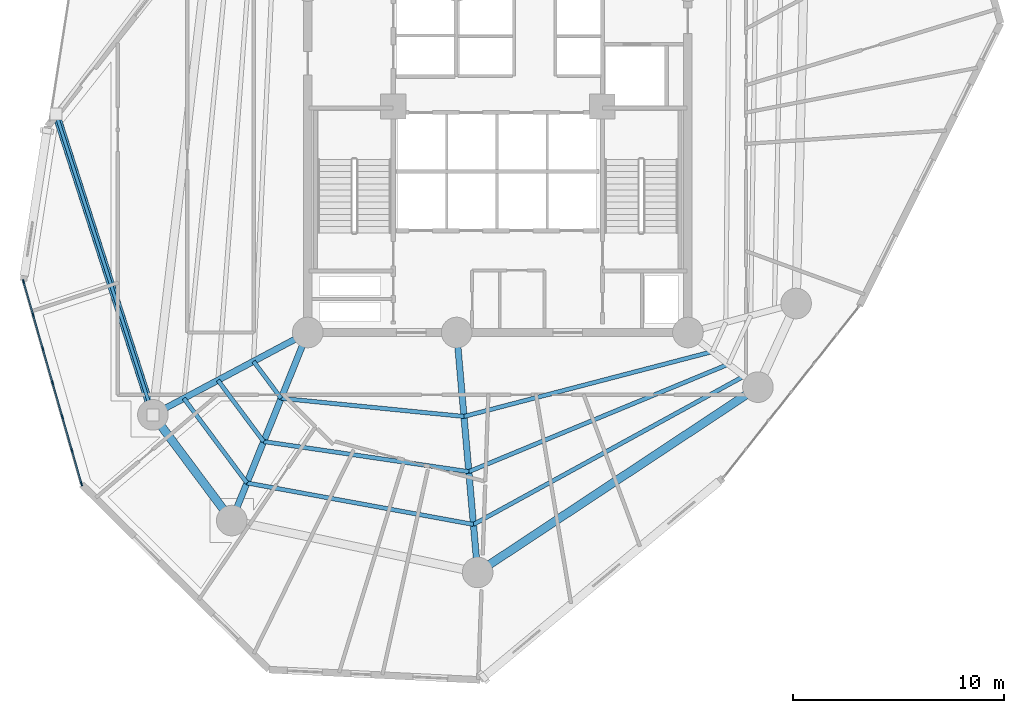
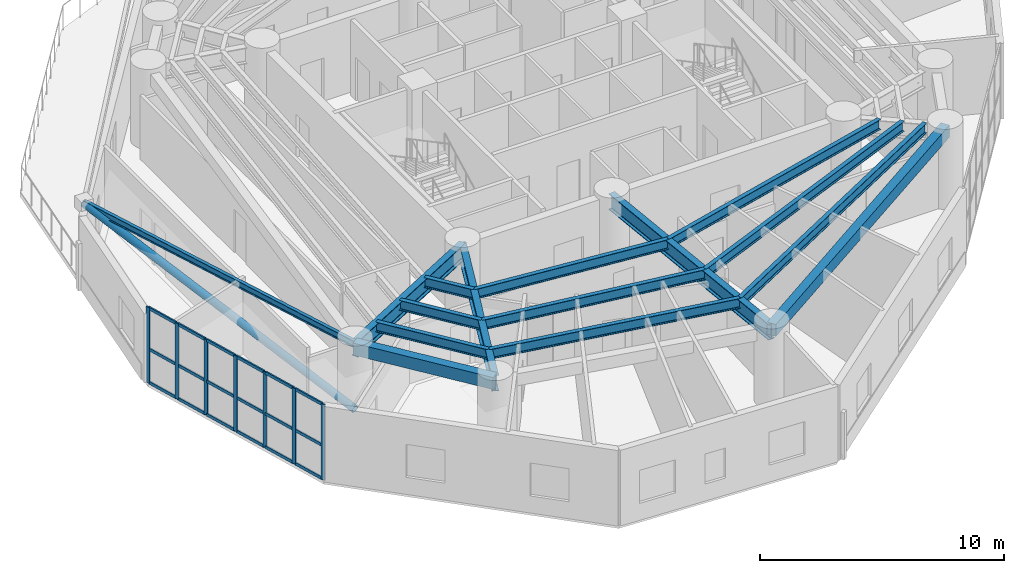
# One storey, part 2 of 14: 26 members, 15 beams, 1 element without a shape of its own.
"""IFC4 building model written with IfcOpenShell, lengths in metres."""

import ifcopenshell
import ifcopenshell.guid

model = None  # the IFC model being written
_history = None  # IfcOwnerHistory: only IFC2X3 demands one
_inside = {}  # id of a spatial element -> (the spatial element, [elements in it])
_under = {}  # id of a project, library or spatial element -> (it, [spatial elements below it])
_declared = {}  # id of a project -> (the project, [libraries it declares])
_typed = {}  # id of a type object -> (the type object, [elements of that type])
_made_of = {}  # id of a material, layer set ... -> (it, [elements and type objects made of it])


def new_model(schema):
    """Start an empty IFC model of exactly this schema.

    Asked for "IFC4X3", IfcOpenShell would pick the latest addendum, in which some entities
    have other attributes; the version numbers below select the first issue.
    IFC2X3 requires an IfcOwnerHistory on every rooted entity: one is made here for all.
    """
    global model, _history
    if schema == "IFC4X3":
        model = ifcopenshell.file(schema_version=(4, 3, 0, 0))
    else:
        model = ifcopenshell.file(schema=schema)
    _inside.clear()
    _under.clear()
    _declared.clear()
    _typed.clear()
    _made_of.clear()
    _history = None
    if model.schema == "IFC2X3":
        org = make("IfcOrganization", Name="unknown")
        user = make(
            "IfcPersonAndOrganization",
            ThePerson=make("IfcPerson", FamilyName="unknown"),
            TheOrganization=org,
        )
        app = make(
            "IfcApplication",
            ApplicationDeveloper=org,
            Version="unknown",
            ApplicationFullName="unknown",
            ApplicationIdentifier="unknown",
        )
        _history = make(
            "IfcOwnerHistory",
            OwningUser=user,
            OwningApplication=app,
            ChangeAction="ADDED",
            CreationDate=0,
        )
    return model


def make(cls, **values):
    """One entity of the class cls with the attributes given. An attribute that is None is left unset."""
    return model.create_entity(
        cls, **{name: value for name, value in values.items() if value is not None}
    )


def rooted(cls, **values):
    """An entity with a GlobalId (a new one), such as an element, a storey or a relation."""
    return make(cls, GlobalId=ifcopenshell.guid.new(), OwnerHistory=_history, **values)


def si_unit(unit_type, name, prefix=None):
    """IfcSIUnit, for example si_unit("LENGTHUNIT", "METRE", prefix="MILLI")."""
    return make("IfcSIUnit", UnitType=unit_type, Prefix=prefix, Name=name)


def assignment(units):
    """IfcUnitAssignment: the units of a project."""
    return None if units is None else make("IfcUnitAssignment", Units=units)


def point(xyz):
    """IfcCartesianPoint."""
    return None if xyz is None else make("IfcCartesianPoint", Coordinates=xyz)


def direction(xyz):
    """IfcDirection."""
    return None if xyz is None else make("IfcDirection", DirectionRatios=xyz)


def frame(location, z_axis=None, x_axis=None):
    """IfcAxis2Placement3D, a coordinate frame: its origin and axes. An axis left out is left unset."""
    return make(
        "IfcAxis2Placement3D",
        Location=point(location),
        Axis=direction(z_axis),
        RefDirection=direction(x_axis),
    )


def frame_2d(location, x_axis=None):
    """IfcAxis2Placement2D, a coordinate frame in the plane: its origin and x axis."""
    return make(
        "IfcAxis2Placement2D", Location=point(location), RefDirection=direction(x_axis)
    )


def origin():
    """The frame at (0, 0, 0) with its axes left unset."""
    return frame((0.0, 0.0, 0.0))


def origin_with_axes():
    """The frame at (0, 0, 0) with the z axis (0, 0, 1) and the x axis (1, 0, 0) written out."""
    return frame((0.0, 0.0, 0.0), z_axis=(0.0, 0.0, 1.0), x_axis=(1.0, 0.0, 0.0))


def origin_2d():
    """The frame at (0, 0) in the plane with its x axis left unset."""
    return frame_2d((0.0, 0.0))


def place(relative_to, where):
    """IfcLocalPlacement: puts the frame where relative to a parent placement (None: the world)."""
    return make(
        "IfcLocalPlacement", PlacementRelTo=relative_to, RelativePlacement=where
    )


def context(
    kind, dimensions, precision=None, world=None, true_north=None, identifier=None
):
    """IfcGeometricRepresentationContext, for example the 3D "Model" context."""
    return make(
        "IfcGeometricRepresentationContext",
        ContextIdentifier=identifier,
        ContextType=kind,
        CoordinateSpaceDimension=dimensions,
        Precision=precision,
        WorldCoordinateSystem=world,
        TrueNorth=true_north,
    )


def subcontext(parent, identifier, kind, view, scale=None):
    """IfcGeometricRepresentationSubContext, for example "Body" below "Model"."""
    return make(
        "IfcGeometricRepresentationSubContext",
        ContextIdentifier=identifier,
        ContextType=kind,
        ParentContext=parent,
        TargetScale=scale,
        TargetView=view,
    )


def project(units=None, contexts=None):
    """IfcProject with its units and contexts."""
    return rooted(
        "IfcProject",
        Name="project",
        RepresentationContexts=contexts,
        UnitsInContext=assignment(units),
    )


def spatial(cls, under=None, at=None, **own):
    """A site, building, storey or space (cls), placed at a placement, below another one or the project."""
    s = rooted(cls, ObjectPlacement=at, **own)
    if under is not None:
        _under.setdefault(under.id(), (under, []))[1].append(s)
    return s


def profile(cls, at=None, kind="AREA", **sizes):
    """A parametric profile (cls). Its sizes go by their IFC names, for example OverallWidth=200.0."""
    return make(cls, ProfileType=kind, Position=at, **sizes)


def rectangle(**sizes):
    """IfcRectangleProfileDef."""
    return profile("IfcRectangleProfileDef", **sizes)


def hollow_circle(**sizes):
    """IfcCircleHollowProfileDef."""
    return profile("IfcCircleHollowProfileDef", **sizes)


def i_section(**sizes):
    """IfcIShapeProfileDef."""
    return profile("IfcIShapeProfileDef", **sizes)


def extrude(swept, where, along, depth):
    """IfcExtrudedAreaSolid: the profile swept, set in the frame where, extruded along a direction by depth."""
    return make(
        "IfcExtrudedAreaSolid",
        SweptArea=swept,
        Position=where,
        ExtrudedDirection=direction(along),
        Depth=depth,
    )


def shape(context_of_items, identifier, shape_type, items):
    """IfcShapeRepresentation: the items that make up one representation, for example the "Body"."""
    return make(
        "IfcShapeRepresentation",
        ContextOfItems=context_of_items,
        RepresentationIdentifier=identifier,
        RepresentationType=shape_type,
        Items=items,
    )


def source(mapping_origin, context_of_items, identifier, shape_type, items):
    """IfcRepresentationMap: a shape defined once, which mapped items show again and again."""
    return make(
        "IfcRepresentationMap",
        MappingOrigin=mapping_origin,
        MappedRepresentation=shape(context_of_items, identifier, shape_type, items),
    )


def transform(
    local_origin,
    x_axis=None,
    y_axis=None,
    z_axis=None,
    scale=None,
    scale2=None,
    scale3=None,
    uniform=True,
):
    """IfcCartesianTransformationOperator3D, or its non-uniform kind. x_axis, y_axis, z_axis: its Axis1, 2, 3."""
    if uniform:
        return make(
            "IfcCartesianTransformationOperator3D",
            Axis1=direction(x_axis),
            Axis2=direction(y_axis),
            LocalOrigin=point(local_origin),
            Scale=scale,
            Axis3=direction(z_axis),
        )
    return make(
        "IfcCartesianTransformationOperator3DnonUniform",
        Axis1=direction(x_axis),
        Axis2=direction(y_axis),
        LocalOrigin=point(local_origin),
        Scale=scale,
        Axis3=direction(z_axis),
        Scale2=scale2,
        Scale3=scale3,
    )


def mapped(mapping_source, mapping_target):
    """IfcMappedItem: shows the shape of a source again, moved by a transform."""
    return make(
        "IfcMappedItem", MappingSource=mapping_source, MappingTarget=mapping_target
    )


def material(Name=None, Category=None):
    """IfcMaterial."""
    return make("IfcMaterial", Name=Name, Category=Category)


def layer(
    of_material, thickness, ventilated=None, Name=None, Category=None, Priority=None
):
    """IfcMaterialLayer: one layer of a wall or slab, of a material (None: an air gap)."""
    return make(
        "IfcMaterialLayer",
        Material=of_material,
        LayerThickness=thickness,
        IsVentilated=ventilated,
        Name=Name,
        Category=Category,
        Priority=Priority,
    )


def layer_set(layers, Name=None):
    """IfcMaterialLayerSet."""
    return make("IfcMaterialLayerSet", MaterialLayers=layers, LayerSetName=Name)


def material_profile(
    of_material, cross_section, Name=None, Category=None, Priority=None
):
    """IfcMaterialProfile: a cross section and its material."""
    return make(
        "IfcMaterialProfile",
        Name=Name,
        Material=of_material,
        Profile=cross_section,
        Priority=Priority,
        Category=Category,
    )


def profile_set(profiles, Name=None, composite=None):
    """IfcMaterialProfileSet."""
    return make(
        "IfcMaterialProfileSet",
        Name=Name,
        MaterialProfiles=profiles,
        CompositeProfile=composite,
    )


def made_of(thing, what):
    """Note that an element or type object is made of a material, layer set ...; save() writes the relation."""
    if what is not None:
        _made_of.setdefault(what.id(), (what, []))[1].append(thing)
    return thing


def type_object(cls, material=None, **own):
    """A type object (cls), such as IfcWallType, which elements share."""
    return made_of(rooted(cls, **own), material)


def element(
    cls,
    number,
    at=None,
    inside=None,
    cuts=None,
    type_object=None,
    material=None,
    context=None,
    identifier="Body",
    shape_type=None,
    held_by="IfcProductDefinitionShape",
    body=None,
    shapes=None,
    **own,
):
    """One element of the class cls, such as IfcWall. Its Tag is "e" and its number.

    at: its placement. inside: the storey or other place that contains it. cuts: it is an
    opening in that element (IfcRelVoidsElement). A single representation is given by context,
    identifier, shape_type and body (its items); several are given by shapes. held_by: the class
    of the entity that holds the representations. save() writes the other relations.
    """
    e = rooted(cls, Tag="e%d" % number, ObjectPlacement=at, **own)
    if body is not None:
        shapes = [shape(context, identifier, shape_type, body)]
    if shapes is not None:
        e.Representation = make(held_by, Representations=shapes)
    if inside is not None:
        _inside.setdefault(inside.id(), (inside, []))[1].append(e)
    if cuts is not None:
        rooted(
            "IfcRelVoidsElement", RelatingBuildingElement=cuts, RelatedOpeningElement=e
        )
    if type_object is not None:
        _typed.setdefault(type_object.id(), (type_object, []))[1].append(e)
    return made_of(e, material)


def aggregate(whole, parts):
    """IfcRelAggregates: a whole, such as a stair, and the parts it consists of."""
    return rooted("IfcRelAggregates", RelatingObject=whole, RelatedObjects=parts)


def save(model, path):
    """Write the relations noted so far, then the file.

    IfcRelAggregates (storeys below a building ...), IfcRelContainedInSpatialStructure (elements
    in a storey), IfcRelDefinesByType, IfcRelAssociatesMaterial and IfcRelDeclares: one each for
    every whole, place, type object, material and project.
    """
    for whole, parts in _under.values():
        aggregate(whole, parts)
    for where, things in _inside.values():
        rooted(
            "IfcRelContainedInSpatialStructure",
            RelatedElements=things,
            RelatingStructure=where,
        )
    for kind, things in _typed.values():
        rooted("IfcRelDefinesByType", RelatedObjects=things, RelatingType=kind)
    for what, things in _made_of.values():
        rooted("IfcRelAssociatesMaterial", RelatedObjects=things, RelatingMaterial=what)
    for by, libraries in _declared.values():
        rooted("IfcRelDeclares", RelatingContext=by, RelatedDefinitions=libraries)
    model.write(path)


model = new_model("IFC4")

# Units and contexts
model_context = context("Model", 3, precision=1e-05, world=origin(), true_north=direction((0.0, 1.0)))
body_context = subcontext(model_context, "Body", "Model", "MODEL_VIEW")
ifc_project = project(units=[si_unit("LENGTHUNIT", "METRE"), si_unit("AREAUNIT", "SQUARE_METRE"), si_unit("VOLUMEUNIT", "CUBIC_METRE"), si_unit("PLANEANGLEUNIT", "RADIAN"), si_unit("MASSUNIT", "GRAM", prefix="KILO")], contexts=[model_context])

# Site, building, storey
site_placement = place(None, origin())
site = spatial("IfcSite", under=ifc_project, at=site_placement, CompositionType="ELEMENT")
building_placement = place(site_placement, origin())
building = spatial("IfcBuilding", under=site, at=building_placement, Name="Karkom Vertical University and Central Library", CompositionType="ELEMENT")
storey_placement = place(building_placement, frame((0.0, 0.0, 92.199951171875)))
storey = spatial("IfcBuildingStorey", under=building, at=storey_placement, Name="L24", CompositionType="ELEMENT", Elevation=92.199951171875)

# Beams
ifc_material_1 = material(Name="Steel S355", Category="steel")
ifc_material_profile_1 = material_profile(ifc_material_1, i_section(OverallWidth=0.300048828125, OverallDepth=0.800048828125, WebThickness=0.017578125, FlangeThickness=0.032958984375, FilletRadius=0.030029296875, at=origin_2d()), Name="HE 800 B")
ifc_profile_set_1 = profile_set([ifc_material_profile_1], Name="Steel S355")
beam_type_1 = type_object("IfcBeamType", Name="STR-BM-SB-HE800", PredefinedType="USERDEFINED", material=ifc_profile_set_1)
shared_shape_1 = source(origin_with_axes(), body_context, "Body", "SweptSolid", [
    extrude(i_section(OverallWidth=0.300048828125, OverallDepth=0.800048828125, WebThickness=0.017578125, FlangeThickness=0.032958984375, FilletRadius=0.030029296875, at=origin_2d()), origin(), (0.0, 0.0, 1.0), 8.299560546875),
])
beam_1_placement = place(storey_placement, frame((19.5, 18.300048828125, 3.375), z_axis=(-0.882914163564, -0.469534428746, 0.0), x_axis=(0.469534428746, -0.882914163564, 0.0)))
element("IfcBeam", 1, at=beam_1_placement, inside=storey, type_object=beam_type_1, Name="Level 24 Radial Frame Girder 06", ObjectType="GIRDER", PredefinedType="USERDEFINED", context=body_context, shape_type="MappedRepresentation", body=[
    mapped(shared_shape_1, transform((0.0, 0.0, 0.0), scale=1.0)),
])
shared_shape_2 = source(origin_with_axes(), body_context, "Body", "SweptSolid", [
    extrude(i_section(OverallWidth=0.300048828125, OverallDepth=0.800048828125, WebThickness=0.017578125, FlangeThickness=0.032958984375, FilletRadius=0.030029296875, at=origin_2d()), origin(), (0.0, 0.0, 1.0), 9.60009765625),
])
beam_2_placement = place(storey_placement, frame((19.5, 18.300048828125, 3.375), z_axis=(-0.374576157034, -0.927196151082, 0.0), x_axis=(0.927196151082, -0.374576157034, 0.0)))
element("IfcBeam", 2, at=beam_2_placement, inside=storey, type_object=beam_type_1, Name="Level 24 Radial Frame Girder 07", ObjectType="GIRDER", PredefinedType="USERDEFINED", context=body_context, shape_type="MappedRepresentation", body=[
    mapped(shared_shape_2, transform((0.0, 0.0, 0.0), scale=1.0)),
])
shared_shape_3 = source(origin_with_axes(), body_context, "Body", "SweptSolid", [
    extrude(i_section(OverallWidth=0.300048828125, OverallDepth=0.800048828125, WebThickness=0.017578125, FlangeThickness=0.032958984375, FilletRadius=0.030029296875, at=origin_2d()), origin(), (0.0, 0.0, 1.0), 11.400390625),
])
beam_3_placement = place(storey_placement, frame((26.550048828125, 18.300048828125, 3.375), z_axis=(0.087181295702, -0.996192462168, 0.0), x_axis=(0.996192462168, 0.087181295702, 0.0)))
element("IfcBeam", 3, at=beam_3_placement, inside=storey, type_object=beam_type_1, Name="Level 24 Radial Frame Girder 08", ObjectType="GIRDER", PredefinedType="USERDEFINED", context=body_context, shape_type="MappedRepresentation", body=[
    mapped(shared_shape_3, transform((0.0, 0.0, 0.0), scale=1.0)),
])
ifc_material_2 = material(Name="Precast concrete C45/55", Category="concrete")
ifc_material_profile_2 = material_profile(ifc_material_2, rectangle(XDim=0.39990234375, YDim=0.60009765625, at=origin_2d()), Name="SPB-400x600")
ifc_profile_set_2 = profile_set([ifc_material_profile_2], Name="Precast concrete C45/55")
beam_type_2 = type_object("IfcBeamType", Name="STR-BM-SP-1", PredefinedType="SPANDREL", material=ifc_profile_set_2)
shared_shape_4 = source(origin_with_axes(), body_context, "Body", "SweptSolid", [
    extrude(rectangle(XDim=0.39990234375, YDim=0.60009765625, at=origin_2d()), origin(), (0.0, 0.0, 1.0), 6.242431640625),
])
beam_4_placement = place(storey_placement, frame((12.172119140625, 14.403076171875, 3.47509765625), z_axis=(0.59782643552, -0.801625569074, 0.0), x_axis=(0.801625569074, 0.59782643552, 0.0)))
element("IfcBeam", 4, at=beam_4_placement, inside=storey, type_object=beam_type_2, Name="Level 24 Perimeter Spandrel Beam 06", PredefinedType="SPANDREL", context=body_context, shape_type="MappedRepresentation", body=[
    mapped(shared_shape_4, transform((0.0, 0.0, 0.0), scale=1.0)),
])
shared_shape_5 = source(origin_with_axes(), body_context, "Body", "SweptSolid", [
    extrude(rectangle(XDim=0.39990234375, YDim=0.60009765625, at=origin_2d()), origin(), (0.0, 0.0, 1.0), 15.903564453125),
])
beam_5_placement = place(storey_placement, frame((27.5439453125, 6.943115234375, 3.47509765625), z_axis=(0.834165069331, 0.551514856652, 0.0), x_axis=(-0.551514856652, 0.834165069331, 0.0)))
element("IfcBeam", 5, at=beam_5_placement, inside=storey, type_object=beam_type_2, Name="Level 24 Perimeter Spandrel Beam 08", PredefinedType="SPANDREL", context=body_context, shape_type="MappedRepresentation", body=[
    mapped(shared_shape_5, transform((0.0, 0.0, 0.0), scale=1.0)),
])
ifc_material_profile_3 = material_profile(ifc_material_1, i_section(OverallWidth=0.199951171875, OverallDepth=0.5, WebThickness=0.01025390625, FlangeThickness=0.01611328125, FilletRadius=0.02099609375, at=origin_2d()), Name="IPE 500")
ifc_profile_set_3 = profile_set([ifc_material_profile_3], Name="Steel S355")
beam_type_3 = type_object("IfcBeamType", Name="STR-BM-SB-IPE500", PredefinedType="BEAM", material=ifc_profile_set_3)
shared_shape_6 = source(origin_with_axes(), body_context, "Body", "SweptSolid", [
    extrude(i_section(OverallWidth=0.199951171875, OverallDepth=0.5, WebThickness=0.01025390625, FlangeThickness=0.01611328125, FilletRadius=0.02099609375, at=origin_2d()), origin(), (0.0, 0.0, 1.0), 2.1845703125),
])
beam_6_placement = place(storey_placement, frame((16.935302734375, 16.93603515625, 3.525146484375), z_axis=(0.597870130664, -0.801592980795, 0.0), x_axis=(0.801592980795, 0.597870130664, 0.0)))
element("IfcBeam", 6, at=beam_6_placement, inside=storey, type_object=beam_type_3, Name="Level 24 Secondary Composite Floor Beam 1.06", PredefinedType="BEAM", context=body_context, shape_type="MappedRepresentation", body=[
    mapped(shared_shape_6, transform((0.0, 0.0, 0.0), scale=1.0)),
])
shared_shape_7 = source(origin_with_axes(), body_context, "Body", "SweptSolid", [
    extrude(i_section(OverallWidth=0.199951171875, OverallDepth=0.5, WebThickness=0.01025390625, FlangeThickness=0.01611328125, FilletRadius=0.02099609375, at=origin_2d()), origin(), (0.0, 0.0, 1.0), 8.698974609375),
])
beam_7_placement = place(storey_placement, frame((18.241455078125, 15.184814453125, 3.525146484375), z_axis=(0.995105588045, -0.098817349903, 0.0), x_axis=(0.098817349903, 0.995105588045, 0.0)))
element("IfcBeam", 7, at=beam_7_placement, inside=storey, type_object=beam_type_3, Name="Level 24 Secondary Composite Floor Beam 1.07", PredefinedType="BEAM", context=body_context, shape_type="MappedRepresentation", body=[
    mapped(shared_shape_7, transform((0.0, 0.0, 0.0), scale=1.0)),
])
shared_shape_8 = source(origin_with_axes(), body_context, "Body", "SweptSolid", [
    extrude(i_section(OverallWidth=0.199951171875, OverallDepth=0.5, WebThickness=0.01025390625, FlangeThickness=0.01611328125, FilletRadius=0.02099609375, at=origin_2d()), origin(), (0.0, 0.0, 1.0), 12.154541015625),
])
beam_8_placement = place(storey_placement, frame((26.89794921875, 14.3251953125, 3.525146484375), z_axis=(0.967579719768, 0.252565805077, 0.0), x_axis=(-0.252565805077, 0.967579719768, 0.0)))
element("IfcBeam", 8, at=beam_8_placement, inside=storey, type_object=beam_type_3, Name="Level 24 Secondary Composite Floor Beam 1.08", PredefinedType="BEAM", context=body_context, shape_type="MappedRepresentation", body=[
    mapped(shared_shape_8, transform((0.0, 0.0, 0.0), scale=1.0)),
])
shared_shape_9 = source(origin_with_axes(), body_context, "Body", "SweptSolid", [
    extrude(i_section(OverallWidth=0.199951171875, OverallDepth=0.5, WebThickness=0.01025390625, FlangeThickness=0.01611328125, FilletRadius=0.02099609375, at=origin_2d()), origin(), (0.0, 0.0, 1.0), 3.62060546875),
])
beam_9_placement = place(storey_placement, frame((15.249755859375, 16.039794921875, 3.525146484375), z_axis=(0.59784003707, -0.801615425298, 0.0), x_axis=(0.801615425298, 0.59784003707, 0.0)))
element("IfcBeam", 9, at=beam_9_placement, inside=storey, type_object=beam_type_3, Name="Level 24 Secondary Composite Floor Beam 2.06", PredefinedType="BEAM", context=body_context, shape_type="MappedRepresentation", body=[
    mapped(shared_shape_9, transform((0.0, 0.0, 0.0), scale=1.0)),
])
shared_shape_10 = source(origin_with_axes(), body_context, "Body", "SweptSolid", [
    extrude(i_section(OverallWidth=0.199951171875, OverallDepth=0.5, WebThickness=0.01025390625, FlangeThickness=0.01611328125, FilletRadius=0.02099609375, at=origin_2d()), origin(), (0.0, 0.0, 1.0), 9.816162109375),
])
beam_10_placement = place(storey_placement, frame((17.414306640625, 13.137451171875, 3.525146484375), z_axis=(0.989413295367, -0.145125225069, 0.0), x_axis=(0.145125225069, 0.989413295367, 0.0)))
element("IfcBeam", 10, at=beam_10_placement, inside=storey, type_object=beam_type_3, Name="Level 24 Secondary Composite Floor Beam 2.07", PredefinedType="BEAM", context=body_context, shape_type="MappedRepresentation", body=[
    mapped(shared_shape_10, transform((0.0, 0.0, 0.0), scale=1.0)),
])
shared_shape_11 = source(origin_with_axes(), body_context, "Body", "SweptSolid", [
    extrude(i_section(OverallWidth=0.199951171875, OverallDepth=0.5, WebThickness=0.01025390625, FlangeThickness=0.01611328125, FilletRadius=0.02099609375, at=origin_2d()), origin(), (0.0, 0.0, 1.0), 13.304443359375),
])
beam_11_placement = place(storey_placement, frame((27.12646484375, 11.712890625, 3.525146484375), z_axis=(0.924011243398, 0.382365299255, 0.0), x_axis=(-0.382365299255, 0.924011243398, 0.0)))
element("IfcBeam", 11, at=beam_11_placement, inside=storey, type_object=beam_type_3, Name="Level 24 Secondary Composite Floor Beam 2.08", PredefinedType="BEAM", context=body_context, shape_type="MappedRepresentation", body=[
    mapped(shared_shape_11, transform((0.0, 0.0, 0.0), scale=1.0)),
])
shared_shape_12 = source(origin_with_axes(), body_context, "Body", "SweptSolid", [
    extrude(i_section(OverallWidth=0.199951171875, OverallDepth=0.5, WebThickness=0.01025390625, FlangeThickness=0.01611328125, FilletRadius=0.02099609375, at=origin_2d()), origin(), (0.0, 0.0, 1.0), 4.993896484375),
])
beam_12_placement = place(storey_placement, frame((13.6376953125, 15.182373046875, 3.525146484375), z_axis=(0.597846775537, -0.801610399745, 0.0), x_axis=(0.801610399745, 0.597846775537, 0.0)))
element("IfcBeam", 12, at=beam_12_placement, inside=storey, type_object=beam_type_3, Name="Level 24 Secondary Composite Floor Beam 3.06", PredefinedType="BEAM", context=body_context, shape_type="MappedRepresentation", body=[
    mapped(shared_shape_12, transform((0.0, 0.0, 0.0), scale=1.0)),
])
shared_shape_13 = source(origin_with_axes(), body_context, "Body", "SweptSolid", [
    extrude(i_section(OverallWidth=0.199951171875, OverallDepth=0.5, WebThickness=0.01025390625, FlangeThickness=0.01611328125, FilletRadius=0.02099609375, at=origin_2d()), origin(), (0.0, 0.0, 1.0), 10.900390625),
])
beam_13_placement = place(storey_placement, frame((16.623291015625, 11.17919921875, 3.525146484375), z_axis=(0.98362026014, -0.180253110495, 0.0), x_axis=(0.180253110495, 0.98362026014, 0.0)))
element("IfcBeam", 13, at=beam_13_placement, inside=storey, type_object=beam_type_3, Name="Level 24 Secondary Composite Floor Beam 3.07", PredefinedType="BEAM", context=body_context, shape_type="MappedRepresentation", body=[
    mapped(shared_shape_13, transform((0.0, 0.0, 0.0), scale=1.0)),
])
shared_shape_14 = source(origin_with_axes(), body_context, "Body", "SweptSolid", [
    extrude(i_section(OverallWidth=0.199951171875, OverallDepth=0.5, WebThickness=0.01025390625, FlangeThickness=0.01611328125, FilletRadius=0.02099609375, at=origin_2d()), origin(), (0.0, 0.0, 1.0), 14.599609375),
])
beam_14_placement = place(storey_placement, frame((27.34521484375, 9.21435546875, 3.525146484375), z_axis=(0.876928143127, 0.480621505752, 0.0), x_axis=(-0.480621505752, 0.876928143127, 0.0)))
element("IfcBeam", 14, at=beam_14_placement, inside=storey, type_object=beam_type_3, Name="Level 24 Secondary Composite Floor Beam 3.08", PredefinedType="BEAM", context=body_context, shape_type="MappedRepresentation", body=[
    mapped(shared_shape_14, transform((0.0, 0.0, 0.0), scale=1.0)),
])
ifc_material_profile_4 = material_profile(ifc_material_1, i_section(OverallWidth=0.159912109375, OverallDepth=0.330078125, WebThickness=0.007568359375, FlangeThickness=0.011474609375, FilletRadius=0.01806640625, at=origin_2d()), Name="IPE 330")
ifc_profile_set_4 = profile_set([ifc_material_profile_4], Name="Steel S355")
beam_type_4 = type_object("IfcBeamType", Name="STR-BM-SB-IPE330", PredefinedType="BEAM", material=ifc_profile_set_4)
shared_shape_15 = source(origin_with_axes(), body_context, "Body", "SweptSolid", [
    extrude(i_section(OverallWidth=0.159912109375, OverallDepth=0.330078125, WebThickness=0.007568359375, FlangeThickness=0.011474609375, FilletRadius=0.01806640625, at=origin_2d()), origin(), (0.0, 0.0, 1.0), 14.958984375),
])
beam_15_placement = place(storey_placement, frame((12.172119140625, 14.403076171875, 3.610107421875), z_axis=(-0.306487254722, 0.951874762084, 0.0), x_axis=(-0.951874762084, -0.306487254722, 0.0)))
element("IfcBeam", 15, at=beam_15_placement, inside=storey, type_object=beam_type_4, Name="Level 24 Sky Garden Outrigger Support Beam 2", PredefinedType="BEAM", context=body_context, shape_type="MappedRepresentation", body=[
    mapped(shared_shape_15, transform((0.0, 0.0, 0.0), scale=1.0)),
])

# Member
ifc_material_profile_5 = material_profile(ifc_material_1, hollow_circle(Radius=0.177734375, WallThickness=0.01611328125, at=origin_2d()), Name="CHS 355.6x16")
ifc_profile_set_5 = profile_set([ifc_material_profile_5], Name="Steel S355")
member_type_1 = type_object("IfcMemberType", Name="STR-MEM-BR-3", PredefinedType="BRACE", material=ifc_profile_set_5)
shared_shape_16 = source(origin_with_axes(), body_context, "Body", "SweptSolid", [
    extrude(hollow_circle(Radius=0.177734375, WallThickness=0.01611328125, at=origin_2d()), origin(), (0.0, 0.0, 1.0), 15.31005859375),
])
member_1_placement = place(storey_placement, frame((12.172119140625, 14.403076171875, 0.35009765625), z_axis=(-0.299458519281, 0.930045221791, 0.212933042652), x_axis=(-0.951874762084, -0.306487254722, 0.0)))
element("IfcMember", 16, at=member_1_placement, inside=storey, type_object=member_type_1, Name="Level 24 Sky Garden Knee Strut Brace 2", PredefinedType="BRACE", context=body_context, shape_type="MappedRepresentation", body=[
    mapped(shared_shape_16, transform((0.0, 0.0, 0.0), scale=1.0)),
])

# Curtain wall, members
ifc_material_3 = material(Name="Aluminium curtain-wall framing and low-E IGU", Category="aluminium")
ifc_layer = layer(ifc_material_3, 0.199951171875)
ifc_layer_set = layer_set([ifc_layer], Name="Aluminium curtain-wall framing and low-E IGU")
curtain_wall_type = type_object("IfcCurtainWallType", Name="ENV-CW-5", PredefinedType="USERDEFINED", material=ifc_layer_set)
curtain_wall_placement = place(storey_placement, origin())
curtain_wall = element("IfcCurtainWall", 17, at=curtain_wall_placement, inside=storey, type_object=curtain_wall_type, Name="Level 24 CW-5 Curtain Wall L24-CW5-02", ObjectType="UNITISED GLAZING", PredefinedType="USERDEFINED")
ifc_material_4 = material(Name="Anodised Aluminium 6063-T6", Category="aluminium")
ifc_material_profile_6 = material_profile(ifc_material_4, rectangle(XDim=0.070068359375, YDim=0.199951171875, at=origin_2d()), Name="ALU-M70x200")
ifc_profile_set_6 = profile_set([ifc_material_profile_6], Name="Anodised Aluminium 6063-T6")
member_type_2 = type_object("IfcMemberType", Name="ENV-MEM-ALU-M70x200", PredefinedType="MULLION", material=ifc_profile_set_6)
shared_shape_17 = source(origin_with_axes(), body_context, "Body", "SweptSolid", [
    extrude(rectangle(XDim=0.070068359375, YDim=0.199951171875, at=origin_2d()), origin(), (0.0, 0.0, 1.0), 3.775146484375),
])
member_2_placement = place(storey_placement, frame((6.048828125, 20.707763671875, 0.0), z_axis=(0.0, 0.0, 1.0), x_axis=(0.961324914887, 0.275416789644, 0.0)))
member_2 = element("IfcMember", 18, at=member_2_placement, type_object=member_type_2, Name="CW-5 mullion 1", PredefinedType="MULLION", context=body_context, shape_type="MappedRepresentation", body=[
    mapped(shared_shape_17, transform((0.0, 0.0, 0.0), scale=1.0)),
])
member_3_placement = place(storey_placement, frame((6.499267578125, 19.135498046875, 0.0), z_axis=(0.0, 0.0, 1.0), x_axis=(0.961324914887, 0.275416789644, 0.0)))
member_3 = element("IfcMember", 19, at=member_3_placement, type_object=member_type_2, Name="CW-5 mullion 2", PredefinedType="MULLION", context=body_context, shape_type="MappedRepresentation", body=[
    mapped(shared_shape_17, transform((0.0, 0.0, 0.0), scale=1.0)),
])
member_4_placement = place(storey_placement, frame((6.95947265625, 17.529541015625, 0.0), z_axis=(0.0, 0.0, 1.0), x_axis=(0.961324914887, 0.275416789644, 0.0)))
member_4 = element("IfcMember", 20, at=member_4_placement, type_object=member_type_2, Name="CW-5 mullion 3", PredefinedType="MULLION", context=body_context, shape_type="MappedRepresentation", body=[
    mapped(shared_shape_17, transform((0.0, 0.0, 0.0), scale=1.0)),
])
member_5_placement = place(storey_placement, frame((7.41943359375, 15.923583984375, 0.0), z_axis=(0.0, 0.0, 1.0), x_axis=(0.961324914887, 0.275416789644, 0.0)))
member_5 = element("IfcMember", 21, at=member_5_placement, type_object=member_type_2, Name="CW-5 mullion 4", PredefinedType="MULLION", context=body_context, shape_type="MappedRepresentation", body=[
    mapped(shared_shape_17, transform((0.0, 0.0, 0.0), scale=1.0)),
])
member_6_placement = place(storey_placement, frame((7.879638671875, 14.317626953125, 0.0), z_axis=(0.0, 0.0, 1.0), x_axis=(0.961324914887, 0.275416789644, 0.0)))
member_6 = element("IfcMember", 22, at=member_6_placement, type_object=member_type_2, Name="CW-5 mullion 5", PredefinedType="MULLION", context=body_context, shape_type="MappedRepresentation", body=[
    mapped(shared_shape_17, transform((0.0, 0.0, 0.0), scale=1.0)),
])
member_7_placement = place(storey_placement, frame((8.339599609375, 12.711669921875, 0.0), z_axis=(0.0, 0.0, 1.0), x_axis=(0.961324914887, 0.275416789644, 0.0)))
member_7 = element("IfcMember", 23, at=member_7_placement, type_object=member_type_2, Name="CW-5 mullion 6", PredefinedType="MULLION", context=body_context, shape_type="MappedRepresentation", body=[
    mapped(shared_shape_17, transform((0.0, 0.0, 0.0), scale=1.0)),
])
member_8_placement = place(storey_placement, frame((8.7900390625, 11.139404296875, 0.0), z_axis=(0.0, 0.0, 1.0), x_axis=(0.961324914887, 0.275416789644, 0.0)))
member_8 = element("IfcMember", 24, at=member_8_placement, type_object=member_type_2, Name="CW-5 mullion 7", PredefinedType="MULLION", context=body_context, shape_type="MappedRepresentation", body=[
    mapped(shared_shape_17, transform((0.0, 0.0, 0.0), scale=1.0)),
])
ifc_material_profile_7 = material_profile(ifc_material_4, rectangle(XDim=0.070068359375, YDim=0.14990234375, at=origin_2d()), Name="ALU-T70x150")
ifc_profile_set_7 = profile_set([ifc_material_profile_7], Name="Anodised Aluminium 6063-T6")
member_type_3 = type_object("IfcMemberType", Name="ENV-MEM-ALU-T70x150", PredefinedType="USERDEFINED", material=ifc_profile_set_7)
shared_shape_18 = source(origin_with_axes(), body_context, "Body", "SweptSolid", [
    extrude(rectangle(XDim=0.070068359375, YDim=0.14990234375, at=origin_2d()), origin(), (0.0, 0.0, 1.0), 1.5654296875),
])
member_9_placement = place(storey_placement, frame((6.05859375, 20.674072265625, 0.03515625), z_axis=(0.275421393619, -0.961323595849, 0.0), x_axis=(0.961323595849, 0.275421393619, 0.0)))
member_9 = element("IfcMember", 25, at=member_9_placement, type_object=member_type_3, Name="CW-5 transom 1.1", ObjectType="TRANSOM", PredefinedType="USERDEFINED", context=body_context, shape_type="MappedRepresentation", body=[
    mapped(shared_shape_18, transform((0.0, 0.0, 0.0), scale=1.0)),
])
member_10_placement = place(storey_placement, frame((6.05859375, 20.674072265625, 1.69873046875), z_axis=(0.275421393619, -0.961323595849, 0.0), x_axis=(0.961323595849, 0.275421393619, 0.0)))
member_10 = element("IfcMember", 26, at=member_10_placement, type_object=member_type_3, Name="CW-5 transom 1.2", ObjectType="TRANSOM", PredefinedType="USERDEFINED", context=body_context, shape_type="MappedRepresentation", body=[
    mapped(shared_shape_18, transform((0.0, 0.0, 0.0), scale=1.0)),
])
member_11_placement = place(storey_placement, frame((6.05859375, 20.674072265625, 3.739990234375), z_axis=(0.275421393619, -0.961323595849, 0.0), x_axis=(0.961323595849, 0.275421393619, 0.0)))
member_11 = element("IfcMember", 27, at=member_11_placement, type_object=member_type_3, Name="CW-5 transom 1.3", ObjectType="TRANSOM", PredefinedType="USERDEFINED", context=body_context, shape_type="MappedRepresentation", body=[
    mapped(shared_shape_18, transform((0.0, 0.0, 0.0), scale=1.0)),
])
member_12_placement = place(storey_placement, frame((8.349365234375, 12.677978515625, 0.03515625), z_axis=(0.275421393619, -0.961323595849, 0.0), x_axis=(0.961323595849, 0.275421393619, 0.0)))
member_12 = element("IfcMember", 28, at=member_12_placement, type_object=member_type_3, Name="CW-5 transom 6.1", ObjectType="TRANSOM", PredefinedType="USERDEFINED", context=body_context, shape_type="MappedRepresentation", body=[
    mapped(shared_shape_18, transform((0.0, 0.0, 0.0), scale=1.0)),
])
member_13_placement = place(storey_placement, frame((8.349365234375, 12.677978515625, 1.69873046875), z_axis=(0.275421393619, -0.961323595849, 0.0), x_axis=(0.961323595849, 0.275421393619, 0.0)))
member_13 = element("IfcMember", 29, at=member_13_placement, type_object=member_type_3, Name="CW-5 transom 6.2", ObjectType="TRANSOM", PredefinedType="USERDEFINED", context=body_context, shape_type="MappedRepresentation", body=[
    mapped(shared_shape_18, transform((0.0, 0.0, 0.0), scale=1.0)),
])
member_14_placement = place(storey_placement, frame((8.349365234375, 12.677978515625, 3.739990234375), z_axis=(0.275421393619, -0.961323595849, 0.0), x_axis=(0.961323595849, 0.275421393619, 0.0)))
member_14 = element("IfcMember", 30, at=member_14_placement, type_object=member_type_3, Name="CW-5 transom 6.3", ObjectType="TRANSOM", PredefinedType="USERDEFINED", context=body_context, shape_type="MappedRepresentation", body=[
    mapped(shared_shape_18, transform((0.0, 0.0, 0.0), scale=1.0)),
])
shared_shape_19 = source(origin_with_axes(), body_context, "Body", "SweptSolid", [
    extrude(rectangle(XDim=0.070068359375, YDim=0.14990234375, at=origin_2d()), origin(), (0.0, 0.0, 1.0), 1.600341796875),
])
member_15_placement = place(storey_placement, frame((6.509033203125, 19.101806640625, 0.03515625), z_axis=(0.275345645333, -0.961345294676, 0.0), x_axis=(0.961345294676, 0.275345645333, 0.0)))
member_15 = element("IfcMember", 31, at=member_15_placement, type_object=member_type_3, Name="CW-5 transom 2.1", ObjectType="TRANSOM", PredefinedType="USERDEFINED", context=body_context, shape_type="MappedRepresentation", body=[
    mapped(shared_shape_19, transform((0.0, 0.0, 0.0), scale=1.0)),
])
member_16_placement = place(storey_placement, frame((6.509033203125, 19.101806640625, 1.69873046875), z_axis=(0.275345645333, -0.961345294676, 0.0), x_axis=(0.961345294676, 0.275345645333, 0.0)))
member_16 = element("IfcMember", 32, at=member_16_placement, type_object=member_type_3, Name="CW-5 transom 2.2", ObjectType="TRANSOM", PredefinedType="USERDEFINED", context=body_context, shape_type="MappedRepresentation", body=[
    mapped(shared_shape_19, transform((0.0, 0.0, 0.0), scale=1.0)),
])
member_17_placement = place(storey_placement, frame((6.509033203125, 19.101806640625, 3.739990234375), z_axis=(0.275345645333, -0.961345294676, 0.0), x_axis=(0.961345294676, 0.275345645333, 0.0)))
member_17 = element("IfcMember", 33, at=member_17_placement, type_object=member_type_3, Name="CW-5 transom 2.3", ObjectType="TRANSOM", PredefinedType="USERDEFINED", context=body_context, shape_type="MappedRepresentation", body=[
    mapped(shared_shape_19, transform((0.0, 0.0, 0.0), scale=1.0)),
])
member_18_placement = place(storey_placement, frame((7.42919921875, 15.889892578125, 0.03515625), z_axis=(0.275345645333, -0.961345294676, 0.0), x_axis=(0.961345294676, 0.275345645333, 0.0)))
member_18 = element("IfcMember", 34, at=member_18_placement, type_object=member_type_3, Name="CW-5 transom 4.1", ObjectType="TRANSOM", PredefinedType="USERDEFINED", context=body_context, shape_type="MappedRepresentation", body=[
    mapped(shared_shape_19, transform((0.0, 0.0, 0.0), scale=1.0)),
])
member_19_placement = place(storey_placement, frame((7.42919921875, 15.889892578125, 1.69873046875), z_axis=(0.275345645333, -0.961345294676, 0.0), x_axis=(0.961345294676, 0.275345645333, 0.0)))
member_19 = element("IfcMember", 35, at=member_19_placement, type_object=member_type_3, Name="CW-5 transom 4.2", ObjectType="TRANSOM", PredefinedType="USERDEFINED", context=body_context, shape_type="MappedRepresentation", body=[
    mapped(shared_shape_19, transform((0.0, 0.0, 0.0), scale=1.0)),
])
member_20_placement = place(storey_placement, frame((7.42919921875, 15.889892578125, 3.739990234375), z_axis=(0.275345645333, -0.961345294676, 0.0), x_axis=(0.961345294676, 0.275345645333, 0.0)))
member_20 = element("IfcMember", 36, at=member_20_placement, type_object=member_type_3, Name="CW-5 transom 4.3", ObjectType="TRANSOM", PredefinedType="USERDEFINED", context=body_context, shape_type="MappedRepresentation", body=[
    mapped(shared_shape_19, transform((0.0, 0.0, 0.0), scale=1.0)),
])
shared_shape_20 = source(origin_with_axes(), body_context, "Body", "SweptSolid", [
    extrude(rectangle(XDim=0.070068359375, YDim=0.14990234375, at=origin_2d()), origin(), (0.0, 0.0, 1.0), 1.6005859375),
])
member_21_placement = place(storey_placement, frame((6.968994140625, 17.495849609375, 0.03515625), z_axis=(0.2754866172, -0.961304906751, 0.0), x_axis=(0.961304906751, 0.2754866172, 0.0)))
member_21 = element("IfcMember", 37, at=member_21_placement, type_object=member_type_3, Name="CW-5 transom 3.1", ObjectType="TRANSOM", PredefinedType="USERDEFINED", context=body_context, shape_type="MappedRepresentation", body=[
    mapped(shared_shape_20, transform((0.0, 0.0, 0.0), scale=1.0)),
])
member_22_placement = place(storey_placement, frame((6.968994140625, 17.495849609375, 1.69873046875), z_axis=(0.2754866172, -0.961304906751, 0.0), x_axis=(0.961304906751, 0.2754866172, 0.0)))
member_22 = element("IfcMember", 38, at=member_22_placement, type_object=member_type_3, Name="CW-5 transom 3.2", ObjectType="TRANSOM", PredefinedType="USERDEFINED", context=body_context, shape_type="MappedRepresentation", body=[
    mapped(shared_shape_20, transform((0.0, 0.0, 0.0), scale=1.0)),
])
member_23_placement = place(storey_placement, frame((6.968994140625, 17.495849609375, 3.739990234375), z_axis=(0.2754866172, -0.961304906751, 0.0), x_axis=(0.961304906751, 0.2754866172, 0.0)))
member_23 = element("IfcMember", 39, at=member_23_placement, type_object=member_type_3, Name="CW-5 transom 3.3", ObjectType="TRANSOM", PredefinedType="USERDEFINED", context=body_context, shape_type="MappedRepresentation", body=[
    mapped(shared_shape_20, transform((0.0, 0.0, 0.0), scale=1.0)),
])
member_24_placement = place(storey_placement, frame((7.88916015625, 14.283935546875, 0.03515625), z_axis=(0.2754866172, -0.961304906751, 0.0), x_axis=(0.961304906751, 0.2754866172, 0.0)))
member_24 = element("IfcMember", 40, at=member_24_placement, type_object=member_type_3, Name="CW-5 transom 5.1", ObjectType="TRANSOM", PredefinedType="USERDEFINED", context=body_context, shape_type="MappedRepresentation", body=[
    mapped(shared_shape_20, transform((0.0, 0.0, 0.0), scale=1.0)),
])
member_25_placement = place(storey_placement, frame((7.88916015625, 14.283935546875, 1.69873046875), z_axis=(0.2754866172, -0.961304906751, 0.0), x_axis=(0.961304906751, 0.2754866172, 0.0)))
member_25 = element("IfcMember", 41, at=member_25_placement, type_object=member_type_3, Name="CW-5 transom 5.2", ObjectType="TRANSOM", PredefinedType="USERDEFINED", context=body_context, shape_type="MappedRepresentation", body=[
    mapped(shared_shape_20, transform((0.0, 0.0, 0.0), scale=1.0)),
])
member_26_placement = place(storey_placement, frame((7.88916015625, 14.283935546875, 3.739990234375), z_axis=(0.2754866172, -0.961304906751, 0.0), x_axis=(0.961304906751, 0.2754866172, 0.0)))
member_26 = element("IfcMember", 42, at=member_26_placement, type_object=member_type_3, Name="CW-5 transom 5.3", ObjectType="TRANSOM", PredefinedType="USERDEFINED", context=body_context, shape_type="MappedRepresentation", body=[
    mapped(shared_shape_20, transform((0.0, 0.0, 0.0), scale=1.0)),
])
aggregate(curtain_wall, [member_2, member_3, member_4, member_5, member_6, member_7, member_8, member_9, member_10, member_11, member_15, member_16, member_17, member_21, member_22, member_23, member_18, member_19, member_20, member_24, member_25, member_26, member_12, member_13, member_14])

save(model, "model.ifc")
